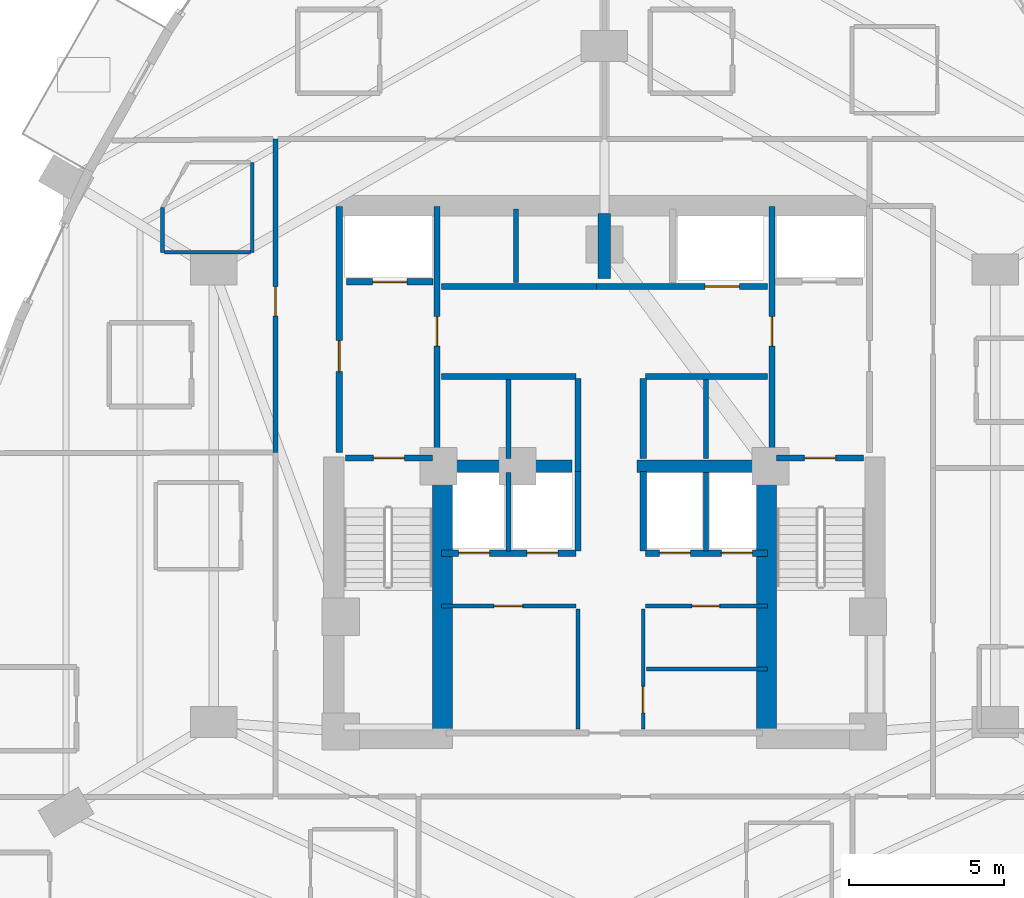
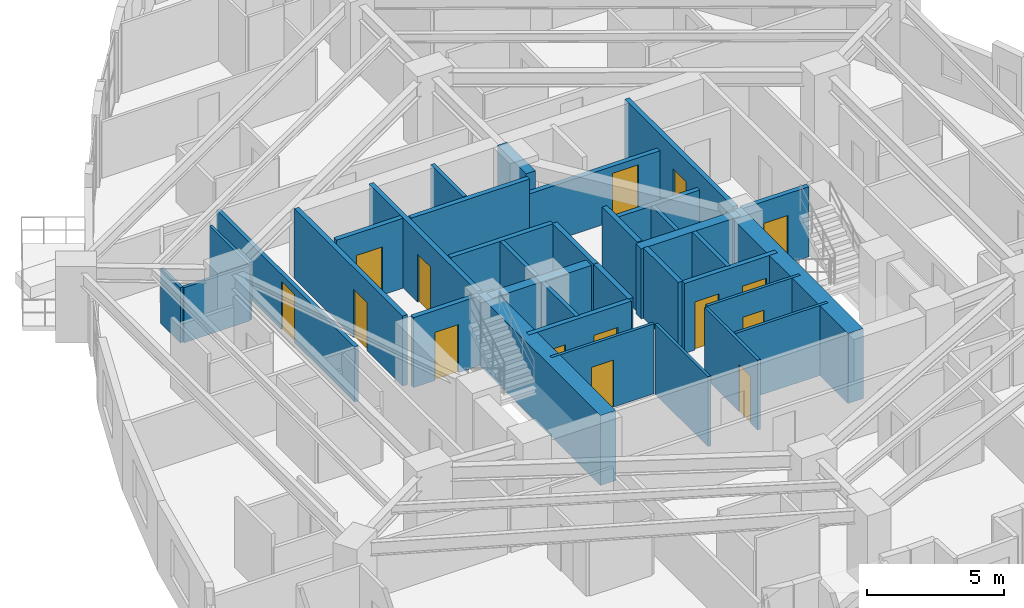
# One storey, part 12 of 17: 35 walls, 15 doors, 15 openings.
"""IFC4 building model written with IfcOpenShell, lengths in metres."""

from ifc_helpers import new_model, si_unit, direction, frame, frame_2d, origin, place, context, subcontext, project, spatial, rectangle, extrude, material, layer, layer_set, type_object, element, fill, save


model = new_model("IFC4")

# Units and contexts
model_context = context("Model", 3, precision=1e-05, world=origin(), true_north=direction((0.0, 1.0)))
body_context = subcontext(model_context, "Body", "Model", "MODEL_VIEW")
ifc_project = project(units=[si_unit("LENGTHUNIT", "METRE"), si_unit("AREAUNIT", "SQUARE_METRE"), si_unit("VOLUMEUNIT", "CUBIC_METRE"), si_unit("PLANEANGLEUNIT", "RADIAN"), si_unit("MASSUNIT", "GRAM", prefix="KILO")], contexts=[model_context])

# Site, building, storey
site_placement = place(None, origin())
site = spatial("IfcSite", under=ifc_project, at=site_placement, CompositionType="ELEMENT")
building_placement = place(site_placement, origin())
building = spatial("IfcBuilding", under=site, at=building_placement, Name="Miruveldt Soraemaru", CompositionType="ELEMENT")
storey_placement = place(building_placement, frame((0.0, 0.0, 53.0)))
storey = spatial("IfcBuildingStorey", under=building, at=storey_placement, Name="L14", CompositionType="ELEMENT", Elevation=53.0)

# Walls
ifc_material_1 = material(Name="Concrete C70/85 (70 MPa)", Category="concrete")
ifc_layer_1 = layer(ifc_material_1, 0.5, Name="Concrete C70/85 (70 MPa)", Category="concrete")
ifc_layer_set_1 = layer_set([ifc_layer_1], Name="Concrete C70/85 (70 MPa)")
wall_type_1 = type_object("IfcWallType", Name="WALL-BW-500", PredefinedType="SHEAR", material=ifc_layer_set_1)
wall_1_placement = place(storey_placement, frame((44.0, 50.10009765625, 0.0), z_axis=(0.0, 0.0, 1.0), x_axis=(0.0, 1.0, 0.0)))
element("IfcWall", 1, at=wall_1_placement, inside=storey, type_object=wall_type_1, Name="L14 Core Buttress Shear Wall BN", PredefinedType="SHEAR", context=body_context, shape_type="SweptSolid", body=[
    extrude(rectangle(XDim=2.099853515625, YDim=0.39990234375, at=frame_2d((1.0498046875, 0.0))), origin(), (0.0, 0.0, 1.0), 3.125),
])
for number, where, z_axis, x_axis, name in (
    (2, (38.75, 44.050048828125, 0.0), (0.0, 0.0, 1.0), (1.0, 0.0, 0.0), "L14 Core Buttress Shear Wall BW"),
    (3, (45.050048828125, 44.050048828125, 0.0), (0.0, 0.0, 1.0), (1.0, 0.0, 0.0), "L14 Core Buttress Shear Wall BE"),
):
    element("IfcWall", number, at=place(storey_placement, frame(where, z_axis=z_axis, x_axis=x_axis)), inside=storey, type_object=wall_type_1, Name=name, PredefinedType="SHEAR", context=body_context, shape_type="SweptSolid", body=[
        extrude(rectangle(XDim=4.199951171875, YDim=0.39990234375, at=frame_2d((2.10009765625, 0.0))), origin(), (0.0, 0.0, 1.0), 3.125),
    ])
ifc_material_2 = material(Name="Concrete C80/95 (80 MPa)", Category="concrete")
ifc_layer_2 = layer(ifc_material_2, 0.64990234375, Name="Concrete C80/95 (80 MPa)", Category="concrete")
ifc_layer_set_2 = layer_set([ifc_layer_2], Name="Concrete C80/95 (80 MPa)")
wall_type_2 = type_object("IfcWallType", Name="WALL-CW-650", PredefinedType="SHEAR", material=ifc_layer_set_2)
for number, where, z_axis, x_axis, name in (
    (4, (38.77490234375, 35.39990234375, 0.0), (0.0, 0.0, 1.0), (0.0, 1.0, 0.0), "L14 Central Core Shear Wall SW-INT"),
    (5, (49.22509765625, 35.39990234375, 0.0), (0.0, 0.0, 1.0), (0.0, 1.0, 0.0), "L14 Central Core Shear Wall SE-INT"),
):
    element("IfcWall", number, at=place(storey_placement, frame(where, z_axis=z_axis, x_axis=x_axis)), inside=storey, type_object=wall_type_2, Name=name, PredefinedType="SHEAR", context=body_context, shape_type="SweptSolid", body=[
        extrude(rectangle(XDim=8.9501953125, YDim=0.64990234375, at=frame_2d((4.47509765625, 0.0))), origin(), (0.0, 0.0, 1.0), 3.125),
    ])

# Wall, opening, door
ifc_material_3 = material(Name="Gypsum plasterboard lining", Category="gypsum")
ifc_layer_3 = layer(ifc_material_3, 0.1201171875, Name="Gypsum plasterboard lining", Category="gypsum")
ifc_layer_set_3 = layer_set([ifc_layer_3], Name="Gypsum plasterboard lining")
wall_type_3 = type_object("IfcWallType", Name="WALL-INT-P120", PredefinedType="PARTITIONING", material=ifc_layer_set_3)
wall_2_placement = place(storey_placement, frame((38.75, 39.550048828125, 0.0), z_axis=(0.0, 0.0, 1.0), x_axis=(1.0, 0.0, 0.0)))
wall_2 = element("IfcWall", 6, at=wall_2_placement, inside=storey, type_object=wall_type_3, Name="L14 Core Compartment Wall CSW-N", PredefinedType="PARTITIONING", context=body_context, shape_type="SweptSolid", body=[
    extrude(rectangle(XDim=4.330078125, YDim=0.1201171875, at=frame_2d((2.1650390625, 0.0))), origin(), (0.0, 0.0, 1.0), 3.125),
])
opening_1_placement = place(wall_2_placement, frame((1.68994140625, 0.0, 0.0)))
opening_1 = element("IfcOpeningElement", 7, at=opening_1_placement, cuts=wall_2, Name="Opening D3A", PredefinedType="OPENING", context=body_context, shape_type="SweptSolid", body=[
    extrude(rectangle(XDim=0.919921875, YDim=2.10009765625, at=frame_2d((0.4599609375, 1.050048828125))), frame((0.0, 0.070068359375, 0.0), z_axis=(0.0, -1.0, 0.0), x_axis=(1.0, 0.0, 0.0)), (0.0, 0.0, 1.0), 0.14013671875),
])
ifc_material_4 = material(Name="Anodised aluminium EN AW-6063 T6", Category="aluminium")
door_type_1 = type_object("IfcDoorType", Name="DOOR-INT-920", OperationType="NOTDEFINED", PredefinedType="DOOR", material=ifc_material_4)
door_1_placement = place(opening_1_placement, origin())
door_1 = element("IfcDoor", 8, at=door_1_placement, inside=storey, type_object=door_type_1, Name="L14 Fire Door", OperationType="SINGLE_SWING_LEFT", OverallHeight=2.10009765625, OverallWidth=0.919921875, PredefinedType="DOOR", context=body_context, shape_type="SweptSolid", body=[
    extrude(rectangle(XDim=0.919921875, YDim=2.10009765625, at=frame_2d((0.4599609375, 1.050048828125))), frame((0.0, 0.02490234375, 0.0), z_axis=(0.0, -1.0, 0.0), x_axis=(1.0, 0.0, 0.0)), (0.0, 0.0, 1.0), 0.050048828125),
])
fill(opening_1, door_1)

wall_3_placement = place(storey_placement, frame((45.320068359375, 39.550048828125, 0.0), z_axis=(0.0, 0.0, 1.0), x_axis=(1.0, 0.0, 0.0)))
wall_3 = element("IfcWall", 9, at=wall_3_placement, inside=storey, type_object=wall_type_3, Name="L14 Core Compartment Wall CSE-N", PredefinedType="PARTITIONING", context=body_context, shape_type="SweptSolid", body=[
    extrude(rectangle(XDim=3.929931640625, YDim=0.1201171875, at=frame_2d((1.96484375, 0.0))), origin(), (0.0, 0.0, 1.0), 3.125),
])
opening_2_placement = place(wall_3_placement, frame((1.510009765625, 0.0, 0.0)))
opening_2 = element("IfcOpeningElement", 10, at=opening_2_placement, cuts=wall_3, Name="Opening D4", PredefinedType="OPENING", context=body_context, shape_type="SweptSolid", body=[
    extrude(rectangle(XDim=0.8798828125, YDim=2.10009765625, at=frame_2d((0.43994140625, 1.050048828125))), frame((0.0, 0.070068359375, 0.0), z_axis=(0.0, -1.0, 0.0), x_axis=(1.0, 0.0, 0.0)), (0.0, 0.0, 1.0), 0.14013671875),
])
door_type_2 = type_object("IfcDoorType", Name="DOOR-INT-880", OperationType="NOTDEFINED", PredefinedType="DOOR", material=ifc_material_4)
door_2_placement = place(opening_2_placement, origin())
door_2 = element("IfcDoor", 11, at=door_2_placement, inside=storey, type_object=door_type_2, Name="L14 Fire Door", OperationType="SINGLE_SWING_LEFT", OverallHeight=2.10009765625, OverallWidth=0.8798828125, PredefinedType="DOOR", context=body_context, shape_type="SweptSolid", body=[
    extrude(rectangle(XDim=0.8798828125, YDim=2.10009765625, at=frame_2d((0.43994140625, 1.050048828125))), frame((0.0, 0.02490234375, 0.0), z_axis=(0.0, -1.0, 0.0), x_axis=(1.0, 0.0, 0.0)), (0.0, 0.0, 1.0), 0.050048828125),
])
fill(opening_2, door_2)

wall_4_placement = place(storey_placement, frame((45.25, 35.580078125, 0.0), z_axis=(0.0, 0.0, 1.0), x_axis=(0.0, 1.0, 0.0)))
wall_4 = element("IfcWall", 12, at=wall_4_placement, inside=storey, type_object=wall_type_3, Name="L14 Core Compartment Wall SP-ES", PredefinedType="PARTITIONING", context=body_context, shape_type="SweptSolid", body=[
    extrude(rectangle(XDim=3.869873046875, YDim=0.1201171875, at=frame_2d((1.93505859375, 0.0))), origin(), (0.0, 0.0, 1.0), 3.125),
])
opening_3_placement = place(wall_4_placement, frame((0.52490234375, 0.0, 0.0)))
opening_3 = element("IfcOpeningElement", 13, at=opening_3_placement, cuts=wall_4, Name="Opening FD3", PredefinedType="OPENING", context=body_context, shape_type="SweptSolid", body=[
    extrude(rectangle(XDim=0.85009765625, YDim=2.10009765625, at=frame_2d((0.425048828125, 1.050048828125))), frame((0.0, 0.070068359375, 0.0), z_axis=(0.0, -1.0, 0.0), x_axis=(1.0, 0.0, 0.0)), (0.0, 0.0, 1.0), 0.14013671875),
])
door_type_3 = type_object("IfcDoorType", Name="DOOR-FD3-850", OperationType="NOTDEFINED", PredefinedType="DOOR", material=ifc_material_4)
door_3_placement = place(opening_3_placement, frame((0.85009765625, 0.0, 0.0), z_axis=(0.0, 0.0, 1.0), x_axis=(-1.0, 0.0, 0.0)))
door_3 = element("IfcDoor", 14, at=door_3_placement, inside=storey, type_object=door_type_3, Name="L14 Fire Door", OperationType="SINGLE_SWING_LEFT", OverallHeight=2.10009765625, OverallWidth=0.85009765625, PredefinedType="DOOR", context=body_context, shape_type="SweptSolid", body=[
    extrude(rectangle(XDim=0.85009765625, YDim=2.10009765625, at=frame_2d((0.425048828125, 1.050048828125))), frame((0.0, 0.02490234375, 0.0), z_axis=(0.0, -1.0, 0.0), x_axis=(1.0, 0.0, 0.0)), (0.0, 0.0, 1.0), 0.050048828125),
])
fill(opening_3, door_3)

# Walls
wall_5_placement = place(storey_placement, frame((45.35009765625, 37.52001953125, 0.0), z_axis=(0.0, 0.0, 1.0), x_axis=(1.0, 0.0, 0.0)))
element("IfcWall", 15, at=wall_5_placement, inside=storey, type_object=wall_type_3, Name="L14 Core Compartment Wall CE3-H", PredefinedType="PARTITIONING", context=body_context, shape_type="SweptSolid", body=[
    extrude(rectangle(XDim=3.89990234375, YDim=0.1201171875, at=frame_2d((1.949951171875, 0.0))), origin(), (0.0, 0.0, 1.0), 3.125),
])
wall_6_placement = place(storey_placement, frame((43.14990234375, 35.580078125, 0.0), z_axis=(0.0, 0.0, 1.0), x_axis=(0.0, 1.0, 0.0)))
element("IfcWall", 16, at=wall_6_placement, inside=storey, type_object=wall_type_3, Name="L14 Core Compartment Wall SP-WS", PredefinedType="PARTITIONING", context=body_context, shape_type="SweptSolid", body=[
    extrude(rectangle(XDim=3.869873046875, YDim=0.1201171875, at=frame_2d((1.93505859375, 0.0))), origin(), (0.0, 0.0, 1.0), 3.125),
])
wall_7_placement = place(storey_placement, frame((32.64990234375, 53.85009765625, 0.0), z_axis=(0.0, 0.0, 1.0), x_axis=(0.0, -1.0, 0.0)))
element("IfcWall", 17, at=wall_7_placement, inside=storey, type_object=wall_type_3, Name="L14 Partition Wall 51", PredefinedType="PARTITIONING", context=body_context, shape_type="SweptSolid", body=[
    extrude(rectangle(XDim=2.900146484375, YDim=0.1201171875, at=frame_2d((1.4501953125, 0.0))), origin(), (0.0, 0.0, 1.0), 2.462890625),
])
wall_8_placement = place(storey_placement, frame((32.590087890625, 50.949951171875, 0.0), z_axis=(0.0, 0.0, 1.0), x_axis=(-1.0, 0.0, 0.0)))
element("IfcWall", 18, at=wall_8_placement, inside=storey, type_object=wall_type_3, Name="L14 Partition Wall 47", PredefinedType="PARTITIONING", context=body_context, shape_type="SweptSolid", body=[
    extrude(rectangle(XDim=2.780029296875, YDim=0.1201171875, at=frame_2d((1.39013671875, 0.0))), origin(), (0.0, 0.0, 1.0), 2.462890625),
])
wall_9_placement = place(storey_placement, frame((29.75, 50.949951171875, 0.0), z_axis=(0.0, 0.0, 1.0), x_axis=(0.0, 1.0, 0.0)))
element("IfcWall", 19, at=wall_9_placement, inside=storey, type_object=wall_type_3, Name="L14 Partition Wall 48", PredefinedType="PARTITIONING", context=body_context, shape_type="SweptSolid", body=[
    extrude(rectangle(XDim=1.43896484375, YDim=0.1201171875, at=frame_2d((0.719482421875, 0.0))), origin(), (0.0, 0.0, 1.0), 2.462890625),
])

# Wall, opening, door
ifc_material_5 = material(Name="Concrete C40/50 (40 MPa)", Category="concrete")
ifc_layer_4 = layer(ifc_material_5, 0.159912109375, Name="Concrete C40/50 (40 MPa)", Category="concrete")
ifc_layer_set_4 = layer_set([ifc_layer_4], Name="Concrete C40/50 (40 MPa)")
wall_type_4 = type_object("IfcWallType", Name="WALL-INT-RC160", PredefinedType="SOLIDWALL", material=ifc_layer_set_4)
wall_10_placement = place(storey_placement, frame((33.39990234375, 54.60009765625, 0.0), z_axis=(0.0, 0.0, 1.0), x_axis=(0.0, -1.0, 0.0)))
wall_10 = element("IfcWall", 20, at=wall_10_placement, inside=storey, type_object=wall_type_4, Name="L14 Partition Wall 3", PredefinedType="SOLIDWALL", context=body_context, shape_type="SweptSolid", body=[
    extrude(rectangle(XDim=10.10009765625, YDim=0.159912109375, at=frame_2d((5.050048828125, 0.0))), origin(), (0.0, 0.0, 1.0), 2.462890625),
])
opening_4_placement = place(wall_10_placement, frame((4.7548828125, 0.0, 0.0)))
opening_4 = element("IfcOpeningElement", 21, at=opening_4_placement, cuts=wall_10, Name="Opening FD2", PredefinedType="OPENING", context=body_context, shape_type="SweptSolid", body=[
    extrude(rectangle(XDim=0.949951171875, YDim=2.14990234375, at=frame_2d((0.47509765625, 1.074951171875))), frame((0.0, 0.08984375, 0.0), z_axis=(0.0, -1.0, 0.0), x_axis=(1.0, 0.0, 0.0)), (0.0, 0.0, 1.0), 0.179931640625),
])
door_type_4 = type_object("IfcDoorType", Name="DOOR-FD2-950", OperationType="NOTDEFINED", PredefinedType="DOOR", material=ifc_material_4)
door_4_placement = place(opening_4_placement, origin())
door_4 = element("IfcDoor", 22, at=door_4_placement, inside=storey, type_object=door_type_4, Name="L14 Unit 1403 Entrance Fire Door", OperationType="SINGLE_SWING_RIGHT", OverallHeight=2.14990234375, OverallWidth=0.949951171875, PredefinedType="DOOR", context=body_context, shape_type="SweptSolid", body=[
    extrude(rectangle(XDim=0.949951171875, YDim=2.14990234375, at=frame_2d((0.47509765625, 1.074951171875))), frame((0.0, 0.02490234375, 0.0), z_axis=(0.0, -1.0, 0.0), x_axis=(1.0, 0.0, 0.0)), (0.0, 0.0, 1.0), 0.050048828125),
])
fill(opening_4, door_4)

# Walls
wall_11_placement = place(storey_placement, frame((40.89990234375, 44.300048828125, 0.0), z_axis=(0.0, 0.0, 1.0), x_axis=(0.0, 1.0, 0.0)))
element("IfcWall", 23, at=wall_11_placement, inside=storey, type_object=wall_type_4, Name="L14 Core Compartment Wall PLM-DW", PredefinedType="SOLIDWALL", context=body_context, shape_type="SweptSolid", body=[
    extrude(rectangle(XDim=2.550048828125, YDim=0.159912109375, at=frame_2d((1.27490234375, 0.0))), origin(), (0.0, 0.0, 1.0), 3.125),
])
wall_12_placement = place(storey_placement, frame((47.280029296875, 44.300048828125, 0.0), z_axis=(0.0, 0.0, 1.0), x_axis=(0.0, 1.0, 0.0)))
element("IfcWall", 24, at=wall_12_placement, inside=storey, type_object=wall_type_4, Name="L14 Core Compartment Wall PLM-DE", PredefinedType="SOLIDWALL", context=body_context, shape_type="SweptSolid", body=[
    extrude(rectangle(XDim=2.550048828125, YDim=0.159912109375, at=frame_2d((1.27490234375, 0.0))), origin(), (0.0, 0.0, 1.0), 2.462890625),
])
for number, where, z_axis, x_axis, name in (
    (25, (40.89990234375, 41.320068359375, 0.0), (0.0, 0.0, 1.0), (0.0, 1.0, 0.0), "L14 Core Compartment Wall PLL-DW"),
    (26, (47.280029296875, 41.320068359375, 0.0), (0.0, 0.0, 1.0), (0.0, 1.0, 0.0), "L14 Core Compartment Wall PLL-DE"),
):
    element("IfcWall", number, at=place(storey_placement, frame(where, z_axis=z_axis, x_axis=x_axis)), inside=storey, type_object=wall_type_4, Name=name, PredefinedType="SOLIDWALL", context=body_context, shape_type="SweptSolid", body=[
        extrude(rectangle(XDim=2.530029296875, YDim=0.159912109375, at=frame_2d((1.26513671875, 0.0))), origin(), (0.0, 0.0, 1.0), 3.125),
    ])
wall_13_placement = place(storey_placement, frame((41.14990234375, 49.97998046875, 0.0), z_axis=(0.0, 0.0, 1.0), x_axis=(0.0, 1.0, 0.0)))
element("IfcWall", 27, at=wall_13_placement, inside=storey, type_object=wall_type_4, Name="L14 Core Compartment Wall PLH-DIV1", PredefinedType="SOLIDWALL", context=body_context, shape_type="SweptSolid", body=[
    extrude(rectangle(XDim=2.3701171875, YDim=0.159912109375, at=frame_2d((1.18505859375, 0.0))), origin(), (0.0, 0.0, 1.0), 3.125),
])

# Wall, opening, door
ifc_layer_5 = layer(ifc_material_5, 0.199951171875, Name="Concrete C40/50 (40 MPa)", Category="concrete")
ifc_layer_set_5 = layer_set([ifc_layer_5], Name="Concrete C40/50 (40 MPa)")
wall_type_5 = type_object("IfcWallType", Name="WALL-INT-RC200", PredefinedType="SOLIDWALL", material=ifc_layer_set_5)
wall_14_placement = place(storey_placement, frame((35.449951171875, 44.5, 0.0), z_axis=(0.0, 0.0, 1.0), x_axis=(0.0, 1.0, 0.0)))
wall_14 = element("IfcWall", 28, at=wall_14_placement, inside=storey, type_object=wall_type_5, Name="L14 Core Compartment Wall FFW-OUT", PredefinedType="SOLIDWALL", context=body_context, shape_type="SweptSolid", body=[
    extrude(rectangle(XDim=7.919921875, YDim=0.199951171875, at=frame_2d((3.9599609375, 0.0))), origin(), (0.0, 0.0, 1.0), 3.125),
])
opening_5_placement = place(wall_14_placement, frame((2.60009765625, 0.0, 0.0)))
opening_5 = element("IfcOpeningElement", 29, at=opening_5_placement, cuts=wall_14, Name="Opening FD1", PredefinedType="OPENING", context=body_context, shape_type="SweptSolid", body=[
    extrude(rectangle(XDim=1.0, YDim=2.14990234375, at=frame_2d((0.5, 1.074951171875))), frame((0.0, 0.10986328125, 0.0), z_axis=(0.0, -1.0, 0.0), x_axis=(1.0, 0.0, 0.0)), (0.0, 0.0, 1.0), 0.219970703125),
])
door_type_5 = type_object("IfcDoorType", Name="DOOR-FD1-1000", OperationType="NOTDEFINED", PredefinedType="DOOR", material=ifc_material_4)
door_5_placement = place(opening_5_placement, origin())
door_5 = element("IfcDoor", 30, at=door_5_placement, inside=storey, type_object=door_type_5, Name="L14 West Firefighting Lobby Exit Door", OperationType="SINGLE_SWING_LEFT", OverallHeight=2.14990234375, OverallWidth=1.0, PredefinedType="DOOR", context=body_context, shape_type="SweptSolid", body=[
    extrude(rectangle(XDim=1.0, YDim=2.14990234375, at=frame_2d((0.5, 1.074951171875))), frame((0.0, 0.02490234375, 0.0), z_axis=(0.0, -1.0, 0.0), x_axis=(1.0, 0.0, 0.0)), (0.0, 0.0, 1.0), 0.050048828125),
])
fill(opening_5, door_5)

wall_15_placement = place(storey_placement, frame((38.60009765625, 44.5, 0.0), z_axis=(0.0, 0.0, 1.0), x_axis=(0.0, 1.0, 0.0)))
wall_15 = element("IfcWall", 31, at=wall_15_placement, inside=storey, type_object=wall_type_5, Name="L14 Core Compartment Wall FFW-IN", PredefinedType="SOLIDWALL", context=body_context, shape_type="SweptSolid", body=[
    extrude(rectangle(XDim=7.919921875, YDim=0.199951171875, at=frame_2d((3.9599609375, 0.0))), origin(), (0.0, 0.0, 1.0), 3.125),
])
opening_6_placement = place(wall_15_placement, frame((3.425048828125, 0.0, 0.0)))
opening_6 = element("IfcOpeningElement", 32, at=opening_6_placement, cuts=wall_15, Name="Opening FD2", PredefinedType="OPENING", context=body_context, shape_type="SweptSolid", body=[
    extrude(rectangle(XDim=0.949951171875, YDim=2.14990234375, at=frame_2d((0.47509765625, 1.074951171875))), frame((0.0, 0.10986328125, 0.0), z_axis=(0.0, -1.0, 0.0), x_axis=(1.0, 0.0, 0.0)), (0.0, 0.0, 1.0), 0.219970703125),
])
door_6_placement = place(opening_6_placement, frame((0.949951171875, 0.0, 0.0), z_axis=(0.0, 0.0, 1.0), x_axis=(-1.0, 0.0, 0.0)))
door_6 = element("IfcDoor", 33, at=door_6_placement, inside=storey, type_object=door_type_4, Name="L14 Lift Lobby to West Fire Lobby Door", OperationType="SINGLE_SWING_RIGHT", OverallHeight=2.14990234375, OverallWidth=0.949951171875, PredefinedType="DOOR", context=body_context, shape_type="SweptSolid", body=[
    extrude(rectangle(XDim=0.949951171875, YDim=2.14990234375, at=frame_2d((0.47509765625, 1.074951171875))), frame((0.0, 0.02490234375, 0.0), z_axis=(0.0, -1.0, 0.0), x_axis=(1.0, 0.0, 0.0)), (0.0, 0.0, 1.0), 0.050048828125),
])
fill(opening_6, door_6)

wall_16_placement = place(storey_placement, frame((49.39990234375, 44.5, 0.0), z_axis=(0.0, 0.0, 1.0), x_axis=(0.0, 1.0, 0.0)))
wall_16 = element("IfcWall", 34, at=wall_16_placement, inside=storey, type_object=wall_type_5, Name="L14 Core Compartment Wall FFE-IN", PredefinedType="SOLIDWALL", context=body_context, shape_type="SweptSolid", body=[
    extrude(rectangle(XDim=7.919921875, YDim=0.199951171875, at=frame_2d((3.9599609375, 0.0))), origin(), (0.0, 0.0, 1.0), 3.125),
])
opening_7_placement = place(wall_16_placement, frame((3.425048828125, 0.0, 0.0)))
opening_7 = element("IfcOpeningElement", 35, at=opening_7_placement, cuts=wall_16, Name="Opening FD2", PredefinedType="OPENING", context=body_context, shape_type="SweptSolid", body=[
    extrude(rectangle(XDim=0.949951171875, YDim=2.14990234375, at=frame_2d((0.47509765625, 1.074951171875))), frame((0.0, 0.10986328125, 0.0), z_axis=(0.0, -1.0, 0.0), x_axis=(1.0, 0.0, 0.0)), (0.0, 0.0, 1.0), 0.219970703125),
])
door_7_placement = place(opening_7_placement, origin())
door_7 = element("IfcDoor", 36, at=door_7_placement, inside=storey, type_object=door_type_4, Name="L14 Lift Lobby to East Fire Lobby Door", OperationType="SINGLE_SWING_LEFT", OverallHeight=2.14990234375, OverallWidth=0.949951171875, PredefinedType="DOOR", context=body_context, shape_type="SweptSolid", body=[
    extrude(rectangle(XDim=0.949951171875, YDim=2.14990234375, at=frame_2d((0.47509765625, 1.074951171875))), frame((0.0, 0.02490234375, 0.0), z_axis=(0.0, -1.0, 0.0), x_axis=(1.0, 0.0, 0.0)), (0.0, 0.0, 1.0), 0.050048828125),
])
fill(opening_7, door_7)

wall_17_placement = place(storey_placement, frame((43.75, 49.85009765625, 0.0), z_axis=(0.0, 0.0, 1.0), x_axis=(1.0, 0.0, 0.0)))
wall_17 = element("IfcWall", 37, at=wall_17_placement, inside=storey, type_object=wall_type_5, Name="L14 Core Compartment Wall ROWA-SE", PredefinedType="SOLIDWALL", context=body_context, shape_type="SweptSolid", body=[
    extrude(rectangle(XDim=5.5, YDim=0.199951171875, at=frame_2d((2.75, 0.0))), origin(), (0.0, 0.0, 1.0), 2.462890625),
])
opening_8_placement = place(wall_17_placement, frame((3.5, 0.0, 0.0)))
opening_8 = element("IfcOpeningElement", 38, at=opening_8_placement, cuts=wall_17, Name="Opening LD2", PredefinedType="OPENING", context=body_context, shape_type="SweptSolid", body=[
    extrude(rectangle(XDim=1.10009765625, YDim=2.14990234375, at=frame_2d((0.550048828125, 1.074951171875))), frame((0.0, 0.10986328125, 0.0), z_axis=(0.0, -1.0, 0.0), x_axis=(1.0, 0.0, 0.0)), (0.0, 0.0, 1.0), 0.219970703125),
])
door_type_6 = type_object("IfcDoorType", Name="DOOR-LD2-1100", OperationType="SLIDING_TO_LEFT", PredefinedType="DOOR", material=ifc_material_4)
door_8_placement = place(opening_8_placement, origin())
door_8 = element("IfcDoor", 39, at=door_8_placement, inside=storey, type_object=door_type_6, Name="L14 SL-1 Landing Door", OperationType="SLIDING_TO_LEFT", OverallHeight=2.14990234375, OverallWidth=1.10009765625, PredefinedType="DOOR", context=body_context, shape_type="SweptSolid", body=[
    extrude(rectangle(XDim=1.10009765625, YDim=2.14990234375, at=frame_2d((0.550048828125, 1.074951171875))), frame((0.0, 0.02490234375, 0.0), z_axis=(0.0, -1.0, 0.0), x_axis=(1.0, 0.0, 0.0)), (0.0, 0.0, 1.0), 0.050048828125),
])
fill(opening_8, door_8)

# Wall, openings, doors
wall_18_placement = place(storey_placement, frame((38.75, 41.25, 0.0), z_axis=(0.0, 0.0, 1.0), x_axis=(1.0, 0.0, 0.0)))
wall_18 = element("IfcWall", 40, at=wall_18_placement, inside=storey, type_object=wall_type_5, Name="L14 Core Compartment Wall LBW-S", PredefinedType="SOLIDWALL", context=body_context, shape_type="SweptSolid", body=[
    extrude(rectangle(XDim=4.330078125, YDim=0.199951171875, at=frame_2d((2.1650390625, 0.0))), origin(), (0.0, 0.0, 1.0), 3.125),
])
opening_9_placement = place(wall_18_placement, frame((0.550048828125, 0.0, 0.0)))
opening_9 = element("IfcOpeningElement", 41, at=opening_9_placement, cuts=wall_18, Name="Opening LD1B", PredefinedType="OPENING", context=body_context, shape_type="SweptSolid", body=[
    extrude(rectangle(XDim=1.0, YDim=2.14990234375, at=frame_2d((0.5, 1.074951171875))), frame((0.0, 0.10986328125, 0.0), z_axis=(0.0, -1.0, 0.0), x_axis=(1.0, 0.0, 0.0)), (0.0, 0.0, 1.0), 0.219970703125),
])
opening_10_placement = place(wall_18_placement, frame((2.75, 0.0, 0.0)))
opening_10 = element("IfcOpeningElement", 42, at=opening_10_placement, cuts=wall_18, Name="Opening LD1B", PredefinedType="OPENING", context=body_context, shape_type="SweptSolid", body=[
    extrude(rectangle(XDim=1.0, YDim=2.14990234375, at=frame_2d((0.5, 1.074951171875))), frame((0.0, 0.10986328125, 0.0), z_axis=(0.0, -1.0, 0.0), x_axis=(1.0, 0.0, 0.0)), (0.0, 0.0, 1.0), 0.219970703125),
])
door_type_7 = type_object("IfcDoorType", Name="DOOR-LD1-1000", OperationType="SLIDING_TO_LEFT", PredefinedType="DOOR", material=ifc_material_4)
door_9_placement = place(opening_9_placement, frame((1.0, 0.0, 0.0), z_axis=(0.0, 0.0, 1.0), x_axis=(-1.0, 0.0, 0.0)))
door_9 = element("IfcDoor", 43, at=door_9_placement, inside=storey, type_object=door_type_7, Name="L14 PL-L1 Landing Door", OperationType="SLIDING_TO_LEFT", OverallHeight=2.14990234375, OverallWidth=1.0, PredefinedType="DOOR", context=body_context, shape_type="SweptSolid", body=[
    extrude(rectangle(XDim=1.0, YDim=2.14990234375, at=frame_2d((0.5, 1.074951171875))), frame((0.0, 0.02490234375, 0.0), z_axis=(0.0, -1.0, 0.0), x_axis=(1.0, 0.0, 0.0)), (0.0, 0.0, 1.0), 0.050048828125),
])
fill(opening_9, door_9)
door_10_placement = place(opening_10_placement, frame((1.0, 0.0, 0.0), z_axis=(0.0, 0.0, 1.0), x_axis=(-1.0, 0.0, 0.0)))
door_10 = element("IfcDoor", 44, at=door_10_placement, inside=storey, type_object=door_type_7, Name="L14 PL-L2 Landing Door", OperationType="SLIDING_TO_LEFT", OverallHeight=2.14990234375, OverallWidth=1.0, PredefinedType="DOOR", context=body_context, shape_type="SweptSolid", body=[
    extrude(rectangle(XDim=1.0, YDim=2.14990234375, at=frame_2d((0.5, 1.074951171875))), frame((0.0, 0.02490234375, 0.0), z_axis=(0.0, -1.0, 0.0), x_axis=(1.0, 0.0, 0.0)), (0.0, 0.0, 1.0), 0.050048828125),
])
fill(opening_10, door_10)

wall_19_placement = place(storey_placement, frame((45.320068359375, 41.25, 0.0), z_axis=(0.0, 0.0, 1.0), x_axis=(1.0, 0.0, 0.0)))
wall_19 = element("IfcWall", 45, at=wall_19_placement, inside=storey, type_object=wall_type_5, Name="L14 Core Compartment Wall LBE-S", PredefinedType="SOLIDWALL", context=body_context, shape_type="SweptSolid", body=[
    extrude(rectangle(XDim=3.929931640625, YDim=0.199951171875, at=frame_2d((1.96484375, 0.0))), origin(), (0.0, 0.0, 1.0), 3.125),
])
opening_11_placement = place(wall_19_placement, frame((0.449951171875, 0.0, 0.0)))
opening_11 = element("IfcOpeningElement", 46, at=opening_11_placement, cuts=wall_19, Name="Opening LD1B", PredefinedType="OPENING", context=body_context, shape_type="SweptSolid", body=[
    extrude(rectangle(XDim=1.0, YDim=2.14990234375, at=frame_2d((0.5, 1.074951171875))), frame((0.0, 0.10986328125, 0.0), z_axis=(0.0, -1.0, 0.0), x_axis=(1.0, 0.0, 0.0)), (0.0, 0.0, 1.0), 0.219970703125),
])
opening_12_placement = place(wall_19_placement, frame((2.449951171875, 0.0, 0.0)))
opening_12 = element("IfcOpeningElement", 47, at=opening_12_placement, cuts=wall_19, Name="Opening LD1B", PredefinedType="OPENING", context=body_context, shape_type="SweptSolid", body=[
    extrude(rectangle(XDim=1.0, YDim=2.14990234375, at=frame_2d((0.5, 1.074951171875))), frame((0.0, 0.10986328125, 0.0), z_axis=(0.0, -1.0, 0.0), x_axis=(1.0, 0.0, 0.0)), (0.0, 0.0, 1.0), 0.219970703125),
])
door_11_placement = place(opening_11_placement, frame((1.0, 0.0, 0.0), z_axis=(0.0, 0.0, 1.0), x_axis=(-1.0, 0.0, 0.0)))
door_11 = element("IfcDoor", 48, at=door_11_placement, inside=storey, type_object=door_type_7, Name="L14 PL-L3 Landing Door", OperationType="SLIDING_TO_LEFT", OverallHeight=2.14990234375, OverallWidth=1.0, PredefinedType="DOOR", context=body_context, shape_type="SweptSolid", body=[
    extrude(rectangle(XDim=1.0, YDim=2.14990234375, at=frame_2d((0.5, 1.074951171875))), frame((0.0, 0.02490234375, 0.0), z_axis=(0.0, -1.0, 0.0), x_axis=(1.0, 0.0, 0.0)), (0.0, 0.0, 1.0), 0.050048828125),
])
fill(opening_11, door_11)
door_12_placement = place(opening_12_placement, frame((1.0, 0.0, 0.0), z_axis=(0.0, 0.0, 1.0), x_axis=(-1.0, 0.0, 0.0)))
door_12 = element("IfcDoor", 49, at=door_12_placement, inside=storey, type_object=door_type_7, Name="L14 PL-L4 Landing Door", OperationType="SLIDING_TO_LEFT", OverallHeight=2.14990234375, OverallWidth=1.0, PredefinedType="DOOR", context=body_context, shape_type="SweptSolid", body=[
    extrude(rectangle(XDim=1.0, YDim=2.14990234375, at=frame_2d((0.5, 1.074951171875))), frame((0.0, 0.02490234375, 0.0), z_axis=(0.0, -1.0, 0.0), x_axis=(1.0, 0.0, 0.0)), (0.0, 0.0, 1.0), 0.050048828125),
])
fill(opening_12, door_12)

# Wall, opening, door
wall_20_placement = place(storey_placement, frame((35.64990234375, 44.320068359375, 0.0), z_axis=(0.0, 0.0, 1.0), x_axis=(1.0, 0.0, 0.0)))
wall_20 = element("IfcWall", 50, at=wall_20_placement, inside=storey, type_object=wall_type_5, Name="L14 Core Compartment Wall ST1-N", PredefinedType="SOLIDWALL", context=body_context, shape_type="SweptSolid", body=[
    extrude(rectangle(XDim=2.800048828125, YDim=0.199951171875, at=frame_2d((1.39990234375, 0.0))), origin(), (0.0, 0.0, 1.0), 3.125),
])
opening_13_placement = place(wall_20_placement, frame((0.89990234375, 0.0, 0.0)))
opening_13 = element("IfcOpeningElement", 51, at=opening_13_placement, cuts=wall_20, Name="Opening FD1", PredefinedType="OPENING", context=body_context, shape_type="SweptSolid", body=[
    extrude(rectangle(XDim=1.0, YDim=2.14990234375, at=frame_2d((0.5, 1.074951171875))), frame((0.0, 0.10986328125, 0.0), z_axis=(0.0, -1.0, 0.0), x_axis=(1.0, 0.0, 0.0)), (0.0, 0.0, 1.0), 0.219970703125),
])
door_13_placement = place(opening_13_placement, frame((1.0, 0.0, 0.0), z_axis=(0.0, 0.0, 1.0), x_axis=(-1.0, 0.0, 0.0)))
door_13 = element("IfcDoor", 52, at=door_13_placement, inside=storey, type_object=door_type_5, Name="L14 Stair ST-1 Fire Door", OperationType="SINGLE_SWING_LEFT", OverallHeight=2.14990234375, OverallWidth=1.0, PredefinedType="DOOR", context=body_context, shape_type="SweptSolid", body=[
    extrude(rectangle(XDim=1.0, YDim=2.14990234375, at=frame_2d((0.5, 1.074951171875))), frame((0.0, 0.02490234375, 0.0), z_axis=(0.0, -1.0, 0.0), x_axis=(1.0, 0.0, 0.0)), (0.0, 0.0, 1.0), 0.050048828125),
])
fill(opening_13, door_13)

wall_21_placement = place(storey_placement, frame((49.550048828125, 44.320068359375, 0.0), z_axis=(0.0, 0.0, 1.0), x_axis=(1.0, 0.0, 0.0)))
wall_21 = element("IfcWall", 53, at=wall_21_placement, inside=storey, type_object=wall_type_5, Name="L14 Core Compartment Wall ST2-N", PredefinedType="SOLIDWALL", context=body_context, shape_type="SweptSolid", body=[
    extrude(rectangle(XDim=2.800048828125, YDim=0.199951171875, at=frame_2d((1.39990234375, 0.0))), origin(), (0.0, 0.0, 1.0), 3.125),
])
opening_14_placement = place(wall_21_placement, frame((0.89990234375, 0.0, 0.0)))
opening_14 = element("IfcOpeningElement", 54, at=opening_14_placement, cuts=wall_21, Name="Opening FD1", PredefinedType="OPENING", context=body_context, shape_type="SweptSolid", body=[
    extrude(rectangle(XDim=1.0, YDim=2.14990234375, at=frame_2d((0.5, 1.074951171875))), frame((0.0, 0.10986328125, 0.0), z_axis=(0.0, -1.0, 0.0), x_axis=(1.0, 0.0, 0.0)), (0.0, 0.0, 1.0), 0.219970703125),
])
door_14_placement = place(opening_14_placement, frame((1.0, 0.0, 0.0), z_axis=(0.0, 0.0, 1.0), x_axis=(-1.0, 0.0, 0.0)))
door_14 = element("IfcDoor", 55, at=door_14_placement, inside=storey, type_object=door_type_5, Name="L14 Stair ST-2 Fire Door", OperationType="SINGLE_SWING_RIGHT", OverallHeight=2.14990234375, OverallWidth=1.0, PredefinedType="DOOR", context=body_context, shape_type="SweptSolid", body=[
    extrude(rectangle(XDim=1.0, YDim=2.14990234375, at=frame_2d((0.5, 1.074951171875))), frame((0.0, 0.02490234375, 0.0), z_axis=(0.0, -1.0, 0.0), x_axis=(1.0, 0.0, 0.0)), (0.0, 0.0, 1.0), 0.050048828125),
])
fill(opening_14, door_14)

wall_22_placement = place(storey_placement, frame((35.679931640625, 50.0, 0.0), z_axis=(0.0, 0.0, 1.0), x_axis=(1.0, 0.0, 0.0)))
wall_22 = element("IfcWall", 56, at=wall_22_placement, inside=storey, type_object=wall_type_5, Name="L14 Core Compartment Wall FFL1-S", PredefinedType="SOLIDWALL", context=body_context, shape_type="SweptSolid", body=[
    extrude(rectangle(XDim=2.800048828125, YDim=0.199951171875, at=frame_2d((1.39990234375, 0.0))), origin(), (0.0, 0.0, 1.0), 3.125),
])
opening_15_placement = place(wall_22_placement, frame((0.85009765625, 0.0, 0.0)))
opening_15 = element("IfcOpeningElement", 57, at=opening_15_placement, cuts=wall_22, Name="Opening LD2", PredefinedType="OPENING", context=body_context, shape_type="SweptSolid", body=[
    extrude(rectangle(XDim=1.10009765625, YDim=2.14990234375, at=frame_2d((0.550048828125, 1.074951171875))), frame((0.0, 0.10986328125, 0.0), z_axis=(0.0, -1.0, 0.0), x_axis=(1.0, 0.0, 0.0)), (0.0, 0.0, 1.0), 0.219970703125),
])
door_15_placement = place(opening_15_placement, origin())
door_15 = element("IfcDoor", 58, at=door_15_placement, inside=storey, type_object=door_type_6, Name="L14 FFL-1 Landing Door", OperationType="SLIDING_TO_LEFT", OverallHeight=2.14990234375, OverallWidth=1.10009765625, PredefinedType="DOOR", context=body_context, shape_type="SweptSolid", body=[
    extrude(rectangle(XDim=1.10009765625, YDim=2.14990234375, at=frame_2d((0.550048828125, 1.074951171875))), frame((0.0, 0.02490234375, 0.0), z_axis=(0.0, -1.0, 0.0), x_axis=(1.0, 0.0, 0.0)), (0.0, 0.0, 1.0), 0.050048828125),
])
fill(opening_15, door_15)

# Walls
wall_23_placement = place(storey_placement, frame((38.75, 49.85009765625, 0.0), z_axis=(0.0, 0.0, 1.0), x_axis=(1.0, 0.0, 0.0)))
element("IfcWall", 59, at=wall_23_placement, inside=storey, type_object=wall_type_5, Name="L14 Core Compartment Wall ROWA-SW", PredefinedType="SOLIDWALL", context=body_context, shape_type="SweptSolid", body=[
    extrude(rectangle(XDim=5.0, YDim=0.199951171875, at=frame_2d((2.5, 0.0))), origin(), (0.0, 0.0, 1.0), 3.125),
])
wall_24_placement = place(storey_placement, frame((38.75, 46.949951171875, 0.0), z_axis=(0.0, 0.0, 1.0), x_axis=(1.0, 0.0, 0.0)))
element("IfcWall", 60, at=wall_24_placement, inside=storey, type_object=wall_type_5, Name="L14 Core Compartment Wall MBW-N", PredefinedType="SOLIDWALL", context=body_context, shape_type="SweptSolid", body=[
    extrude(rectangle(XDim=4.330078125, YDim=0.199951171875, at=frame_2d((2.1650390625, 0.0))), origin(), (0.0, 0.0, 1.0), 3.125),
])
wall_25_placement = place(storey_placement, frame((45.320068359375, 46.949951171875, 0.0), z_axis=(0.0, 0.0, 1.0), x_axis=(1.0, 0.0, 0.0)))
element("IfcWall", 61, at=wall_25_placement, inside=storey, type_object=wall_type_5, Name="L14 Core Compartment Wall MBE-N", PredefinedType="SOLIDWALL", context=body_context, shape_type="SweptSolid", body=[
    extrude(rectangle(XDim=3.929931640625, YDim=0.199951171875, at=frame_2d((1.96484375, 0.0))), origin(), (0.0, 0.0, 1.0), 2.462890625),
])
wall_26_placement = place(storey_placement, frame((43.14990234375, 43.8798828125, 0.0), z_axis=(0.0, 0.0, 1.0), x_axis=(0.0, 1.0, 0.0)))
element("IfcWall", 62, at=wall_26_placement, inside=storey, type_object=wall_type_5, Name="L14 Core Compartment Wall SP-WB", PredefinedType="SOLIDWALL", context=body_context, shape_type="SweptSolid", body=[
    extrude(rectangle(XDim=3.0, YDim=0.199951171875, at=frame_2d((1.5, 0.0))), origin(), (0.0, 0.0, 1.0), 3.125),
])
wall_27_placement = place(storey_placement, frame((45.25, 44.300048828125, 0.0), z_axis=(0.0, 0.0, 1.0), x_axis=(0.0, 1.0, 0.0)))
element("IfcWall", 63, at=wall_27_placement, inside=storey, type_object=wall_type_5, Name="L14 Core Compartment Wall SP-EB", PredefinedType="SOLIDWALL", context=body_context, shape_type="SweptSolid", body=[
    extrude(rectangle(XDim=2.579833984375, YDim=0.199951171875, at=frame_2d((1.2900390625, 0.0))), origin(), (0.0, 0.0, 1.0), 3.125),
])
for number, where, z_axis, x_axis, name in (
    (64, (43.14990234375, 41.320068359375, 0.0), (0.0, 0.0, 1.0), (0.0, 1.0, 0.0), "L14 Core Compartment Wall SP-WC"),
    (65, (45.25, 41.320068359375, 0.0), (0.0, 0.0, 1.0), (0.0, 1.0, 0.0), "L14 Core Compartment Wall SP-EC"),
):
    element("IfcWall", number, at=place(storey_placement, frame(where, z_axis=z_axis, x_axis=x_axis)), inside=storey, type_object=wall_type_5, Name=name, PredefinedType="SOLIDWALL", context=body_context, shape_type="SweptSolid", body=[
        extrude(rectangle(XDim=2.559814453125, YDim=0.199951171875, at=frame_2d((1.27978515625, 0.0))), origin(), (0.0, 0.0, 1.0), 3.125),
    ])

save(model, "model.ifc")
